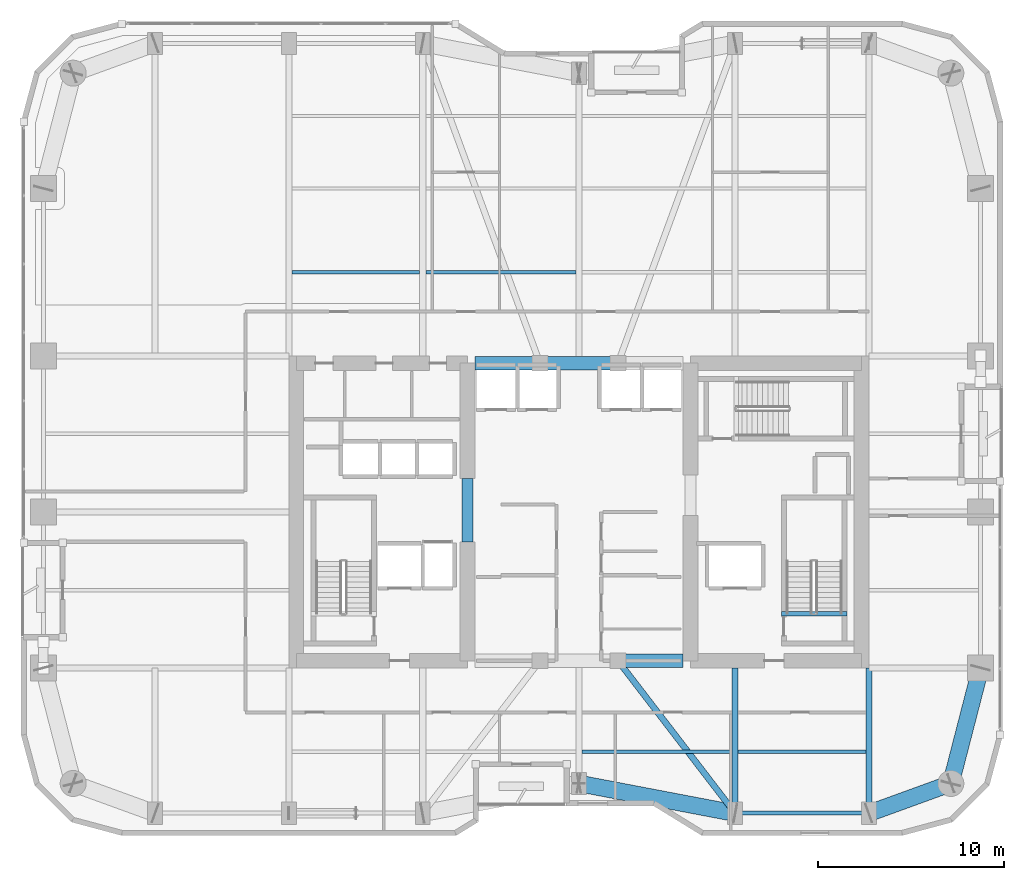
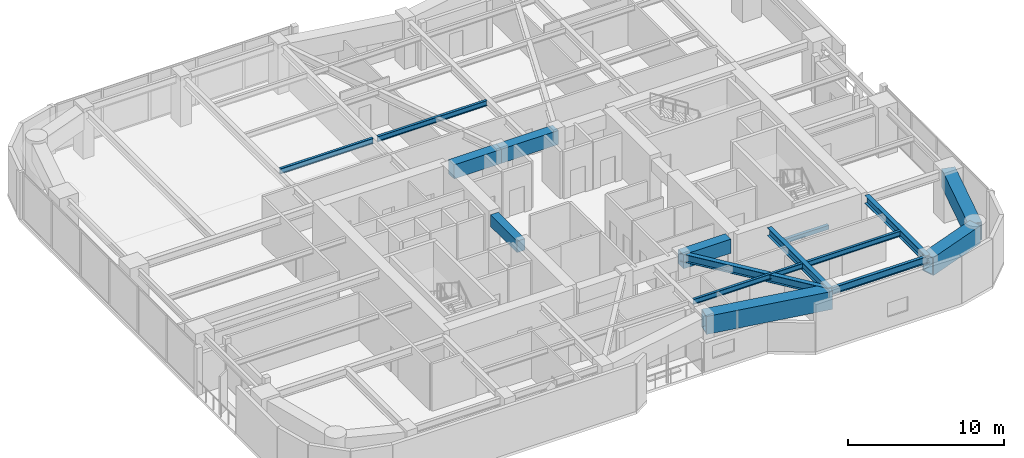
# One storey, part 8 of 31: 16 beams.
"""IFC4 building model written with IfcOpenShell, lengths in metres."""

from ifc_helpers import new_model, si_unit, direction, frame, origin, origin_2d, place, context, subcontext, project, spatial, rectangle, hollow_rectangle, i_section, extrude, material, material_profile, profile_set, type_object, element, save


model = new_model("IFC4")

# Units and contexts
model_context = context("Model", 3, precision=1e-05, world=origin(), true_north=direction((0.0, 1.0)))
body_context = subcontext(model_context, "Body", "Model", "MODEL_VIEW")
ifc_project = project(units=[si_unit("LENGTHUNIT", "METRE"), si_unit("AREAUNIT", "SQUARE_METRE"), si_unit("VOLUMEUNIT", "CUBIC_METRE"), si_unit("PLANEANGLEUNIT", "RADIAN"), si_unit("MASSUNIT", "GRAM", prefix="KILO")], contexts=[model_context])

# Site, building, storey
site_placement = place(None, origin())
site = spatial("IfcSite", under=ifc_project, at=site_placement, CompositionType="ELEMENT")
building_placement = place(site_placement, origin())
building = spatial("IfcBuilding", under=site, at=building_placement, Name="Kiyonajd Concourse Tower", CompositionType="ELEMENT")
storey_placement = place(building_placement, frame((0.0, 0.0, 158.39990234375)))
storey = spatial("IfcBuildingStorey", under=building, at=storey_placement, Name="L40", CompositionType="ELEMENT", Elevation=158.39990234375)

# Beams
ifc_material_1 = material(Name="Concrete C70/85", Category="concrete")
ifc_material_profile_1 = material_profile(ifc_material_1, rectangle(XDim=0.699951171875, YDim=1.10009765625, at=origin_2d()), Name="RCBM-700x1100")
ifc_profile_set_1 = profile_set([ifc_material_profile_1], Name="Concrete C70/85")
beam_type_1 = type_object("IfcBeamType", Name="BM-COUP-1100", PredefinedType="LINTEL", material=ifc_profile_set_1)
for number, where, z_axis, x_axis, name in (
    (1, (50.10009765625, 28.0, 3.130126953125), (1.0, 0.0, 0.0), (0.0, 1.0, 0.0), "L40 Core Coupling Beam S3"),
    (2, (42.39990234375, 44.0, 3.130126953125), (1.0, 0.0, 0.0), (0.0, 1.0, 0.0), "L40 Core Coupling Beam N1"),
):
    element("IfcBeam", number, at=place(storey_placement, frame(where, z_axis=z_axis, x_axis=x_axis)), inside=storey, type_object=beam_type_1, Name=name, PredefinedType="LINTEL", context=body_context, shape_type="SweptSolid", body=[
        extrude(rectangle(XDim=0.699951171875, YDim=1.10009765625, at=origin_2d()), origin(), (0.0, 0.0, 1.0), 3.5),
    ])
beam_1_placement = place(storey_placement, frame((45.89990234375, 44.0, 3.130126953125), z_axis=(1.0, 0.0, 0.0), x_axis=(0.0, 1.0, 0.0)))
element("IfcBeam", 3, at=beam_1_placement, inside=storey, type_object=beam_type_1, Name="L40 Core Coupling Beam N2", PredefinedType="LINTEL", context=body_context, shape_type="SweptSolid", body=[
    extrude(rectangle(XDim=0.699951171875, YDim=1.10009765625, at=origin_2d()), origin(), (0.0, 0.0, 1.0), 4.2001953125),
])
ifc_material_2 = material(Name="Concrete C60/75", Category="concrete")
ifc_material_profile_2 = material_profile(ifc_material_2, rectangle(XDim=0.60009765625, YDim=0.89990234375, at=origin_2d()), Name="RCBM-600x900")
ifc_profile_set_2 = profile_set([ifc_material_profile_2], Name="Concrete C60/75")
beam_type_2 = type_object("IfcBeamType", Name="BM-COUP-900", PredefinedType="LINTEL", material=ifc_profile_set_2)
beam_2_placement = place(storey_placement, frame((42.0, 34.39990234375, 3.130126953125), z_axis=(0.0, 1.0, 0.0), x_axis=(-1.0, 0.0, 0.0)))
element("IfcBeam", 4, at=beam_2_placement, inside=storey, type_object=beam_type_2, Name="L40 West Core Throat Coupling Lintel", PredefinedType="LINTEL", context=body_context, shape_type="SweptSolid", body=[
    extrude(rectangle(XDim=0.60009765625, YDim=0.89990234375, at=origin_2d()), origin(), (0.0, 0.0, 1.0), 3.400146484375),
])
ifc_material_3 = material(Name="Steel ASTM A992 Grade 50", Category="steel")
ifc_material_profile_3 = material_profile(ifc_material_3, i_section(OverallWidth=0.180908203125, OverallDepth=0.4169921875, WebThickness=0.010986328125, FlangeThickness=0.018310546875, at=origin_2d()), Name="W410X85")
ifc_profile_set_3 = profile_set([ifc_material_profile_3], Name="Steel ASTM A992 Grade 50")
beam_type_3 = type_object("IfcBeamType", Name="BM-JST-410", PredefinedType="JOIST", material=ifc_profile_set_3)
beam_3_placement = place(storey_placement, frame((48.16357421875, 23.10009765625, 3.4716796875), z_axis=(1.0, 0.0, 0.0), x_axis=(0.0, 1.0, 0.0)))
element("IfcBeam", 5, at=beam_3_placement, inside=storey, type_object=beam_type_3, Name="L40 Secondary Floor Joist", PredefinedType="JOIST", context=body_context, shape_type="SweptSolid", body=[
    extrude(i_section(OverallWidth=0.180908203125, OverallDepth=0.4169921875, WebThickness=0.010986328125, FlangeThickness=0.018310546875, at=origin_2d()), origin(), (0.0, 0.0, 1.0), 8.072998046875),
])
for number, where, z_axis, x_axis, name in (
    (6, (56.5634765625, 23.10009765625, 3.4716796875), (1.0, 0.0, 0.0), (0.0, 1.0, 0.0), "L40 Secondary Floor Joist"),
    (7, (32.5634765625, 48.89990234375, 3.4716796875), (1.0, 0.0, 0.0), (0.0, 1.0, 0.0), "L40 Secondary Floor Joist"),
):
    element("IfcBeam", number, at=place(storey_placement, frame(where, z_axis=z_axis, x_axis=x_axis)), inside=storey, type_object=beam_type_3, Name=name, PredefinedType="JOIST", context=body_context, shape_type="SweptSolid", body=[
        extrude(i_section(OverallWidth=0.180908203125, OverallDepth=0.4169921875, WebThickness=0.010986328125, FlangeThickness=0.018310546875, at=origin_2d()), origin(), (0.0, 0.0, 1.0), 6.873046875),
    ])
beam_4_placement = place(storey_placement, frame((39.763427734375, 48.89990234375, 3.4716796875), z_axis=(1.0, 0.0, 0.0), x_axis=(0.0, 1.0, 0.0)))
element("IfcBeam", 8, at=beam_4_placement, inside=storey, type_object=beam_type_3, Name="L40 Secondary Floor Joist", PredefinedType="JOIST", context=body_context, shape_type="SweptSolid", body=[
    extrude(i_section(OverallWidth=0.180908203125, OverallDepth=0.4169921875, WebThickness=0.010986328125, FlangeThickness=0.018310546875, at=origin_2d()), origin(), (0.0, 0.0, 1.0), 8.072998046875),
])
ifc_material_4 = material(Name="Concrete C50/60", Category="concrete")
ifc_material_profile_4 = material_profile(ifc_material_4, rectangle(XDim=0.239990234375, YDim=0.320068359375, at=origin_2d()), Name="RCBM-240x320")
ifc_profile_set_4 = profile_set([ifc_material_profile_4], Name="Concrete C50/60")
beam_type_4 = type_object("IfcBeamType", Name="BM-LNT-250", PredefinedType="LINTEL", material=ifc_profile_set_4)
beam_5_placement = place(storey_placement, frame((58.889892578125, 30.530029296875, -0.159912109375), z_axis=(1.0, 0.0, 0.0), x_axis=(0.0, 1.0, 0.0)))
element("IfcBeam", 9, at=beam_5_placement, inside=storey, type_object=beam_type_4, Name="L40 Stair ST2 Threshold Support Beam", PredefinedType="LINTEL", context=body_context, shape_type="SweptSolid", body=[
    extrude(rectangle(XDim=0.239990234375, YDim=0.320068359375, at=origin_2d()), origin(), (0.0, 0.0, 1.0), 3.52001953125),
])
ifc_material_profile_5 = material_profile(ifc_material_3, i_section(OverallWidth=0.214111328125, OverallDepth=0.549072265625, WebThickness=0.0146484375, FlangeThickness=0.023681640625, at=origin_2d()), Name="W530X138")
ifc_profile_set_5 = profile_set([ifc_material_profile_5], Name="Steel ASTM A992 Grade 50")
beam_type_5 = type_object("IfcBeamType", Name="BM-SPAN-530A", PredefinedType="SPANDREL", material=ifc_profile_set_5)
beam_6_placement = place(storey_placement, frame((56.39990234375, 19.800048828125, 3.405517578125), z_axis=(1.0, 0.0, 0.0), x_axis=(0.0, 1.0, 0.0)))
element("IfcBeam", 10, at=beam_6_placement, inside=storey, type_object=beam_type_5, Name="L40 Perimeter Bundled Tube Spandrel", PredefinedType="SPANDREL", context=body_context, shape_type="SweptSolid", body=[
    extrude(i_section(OverallWidth=0.214111328125, OverallDepth=0.549072265625, WebThickness=0.0146484375, FlangeThickness=0.023681640625, at=origin_2d()), origin(), (0.0, 0.0, 1.0), 7.2001953125),
])
ifc_material_profile_6 = material_profile(ifc_material_3, i_section(OverallWidth=0.326904296875, OverallDepth=0.6220703125, WebThickness=0.015380859375, FlangeThickness=0.0244140625, at=origin_2d()), Name="W610X195")
ifc_profile_set_6 = profile_set([ifc_material_profile_6], Name="Steel ASTM A992 Grade 50")
beam_type_6 = type_object("IfcBeamType", Name="BM-TWR-610A", PredefinedType="BEAM", material=ifc_profile_set_6)
beam_7_placement = place(storey_placement, frame((50.10009765625, 28.0, 3.369140625), z_axis=(0.609233709922, -0.792990722956, 0.0), x_axis=(0.792990722956, 0.609233709922, 0.0)))
element("IfcBeam", 11, at=beam_7_placement, inside=storey, type_object=beam_type_6, Name="L40 Core Tie Girder", PredefinedType="BEAM", context=body_context, shape_type="SweptSolid", body=[
    extrude(i_section(OverallWidth=0.326904296875, OverallDepth=0.6220703125, WebThickness=0.015380859375, FlangeThickness=0.0244140625, at=origin_2d()), origin(), (0.0, 0.0, 1.0), 10.340576171875),
])
for number, where, z_axis, x_axis, name in (
    (12, (56.39990234375, 19.800048828125, 3.369140625), (0.0, 1.0, 0.0), (-1.0, 0.0, 0.0), "L40 South Lease Girder"),
    (13, (63.60009765625, 19.800048828125, 3.369140625), (0.0, 1.0, 0.0), (-1.0, 0.0, 0.0), "L40 South Lease Girder"),
):
    element("IfcBeam", number, at=place(storey_placement, frame(where, z_axis=z_axis, x_axis=x_axis)), inside=storey, type_object=beam_type_6, Name=name, PredefinedType="BEAM", context=body_context, shape_type="SweptSolid", body=[
        extrude(i_section(OverallWidth=0.326904296875, OverallDepth=0.6220703125, WebThickness=0.015380859375, FlangeThickness=0.0244140625, at=origin_2d()), origin(), (0.0, 0.0, 1.0), 7.800048828125),
    ])
ifc_material_5 = material(Name="Steel ASTM A572 Grade 50", Category="steel")
ifc_material_profile_7 = material_profile(ifc_material_5, hollow_rectangle(XDim=0.89990234375, YDim=1.39990234375, WallThickness=0.070068359375, at=origin_2d()), Name="BOX-1400x900x70")
ifc_profile_set_7 = profile_set([ifc_material_profile_7], Name="Steel ASTM A572 Grade 50")
beam_type_7 = type_object("IfcBeamType", Name="BM-XFER-1400", PredefinedType="BEAM", material=ifc_profile_set_7)
beam_8_placement = place(storey_placement, frame((48.0, 21.39990234375, 2.97998046875), z_axis=(0.982341315253, -0.187097675953, 0.0), x_axis=(0.187097675953, 0.982341315253, 0.0)))
element("IfcBeam", 14, at=beam_8_placement, inside=storey, type_object=beam_type_7, Name="L40 Perimeter Bundled Tube Spandrel", PredefinedType="BEAM", context=body_context, shape_type="SweptSolid", body=[
    extrude(hollow_rectangle(XDim=0.89990234375, YDim=1.39990234375, WallThickness=0.070068359375, at=origin_2d()), origin(), (0.0, 0.0, 1.0), 8.55078125),
])
beam_9_placement = place(storey_placement, frame((63.60009765625, 19.800048828125, 2.97998046875), z_axis=(0.939801036019, 0.341722127901, 0.0), x_axis=(-0.341722127901, 0.939801036019, 0.0)))
element("IfcBeam", 15, at=beam_9_placement, inside=storey, type_object=beam_type_7, Name="L40 Perimeter Bundled Tube Spandrel", PredefinedType="BEAM", context=body_context, shape_type="SweptSolid", body=[
    extrude(hollow_rectangle(XDim=0.89990234375, YDim=1.39990234375, WallThickness=0.070068359375, at=origin_2d()), origin(), (0.0, 0.0, 1.0), 4.681640625),
])
beam_10_placement = place(storey_placement, frame((68.0, 21.39990234375, 2.97998046875), z_axis=(0.249884937687, 0.968275538221, 0.0), x_axis=(-0.968275538221, 0.249884937687, 0.0)))
element("IfcBeam", 16, at=beam_10_placement, inside=storey, type_object=beam_type_7, Name="L40 Perimeter Bundled Tube Spandrel", PredefinedType="BEAM", context=body_context, shape_type="SweptSolid", body=[
    extrude(hollow_rectangle(XDim=0.89990234375, YDim=1.39990234375, WallThickness=0.070068359375, at=origin_2d()), origin(), (0.0, 0.0, 1.0), 6.4033203125),
])

save(model, "model.ifc")
